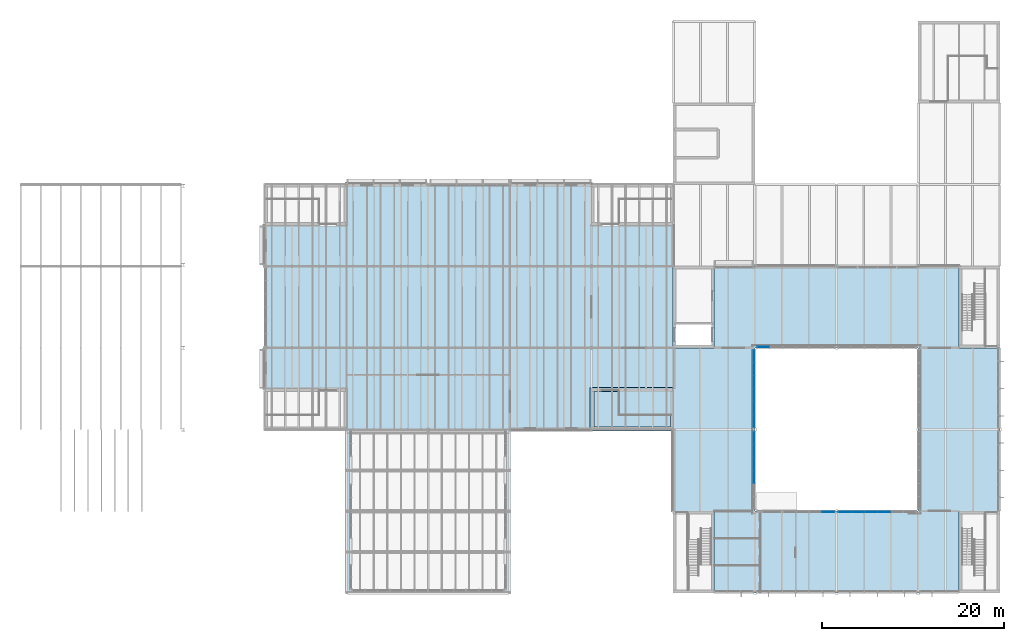
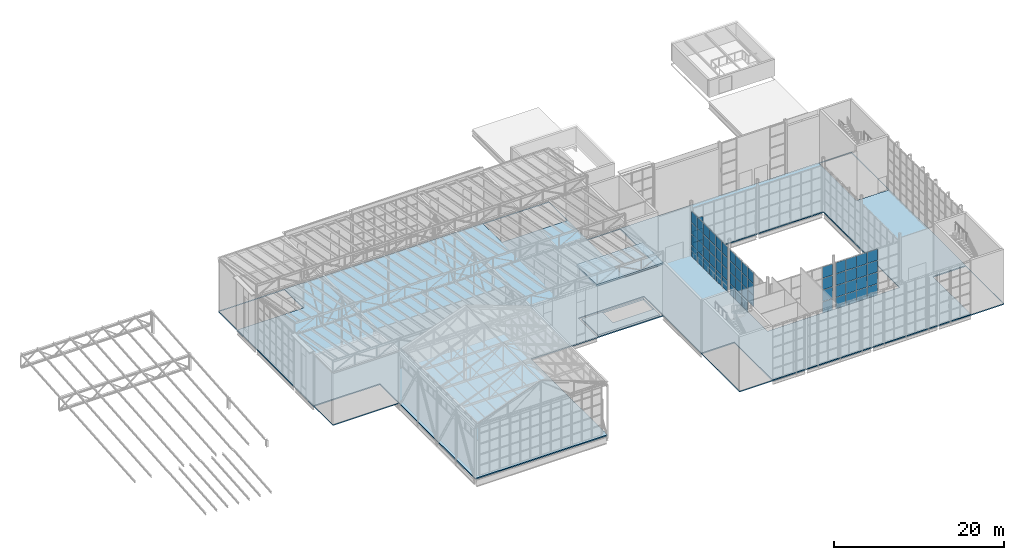
# One storey, part 70 of 90: 62 plates, 3 slabs, 5 elements without a shape of their own.
"""IFC4 building model written with IfcOpenShell, lengths in metres."""

from ifc_helpers import new_model, si_unit, direction, frame, origin, origin_2d, place, context, subcontext, project, spatial, polyline, rectangle, outline, extrude, material, layer, layer_set, type_object, element, aggregate, save


model = new_model("IFC4")

# Units and contexts
model_context = context("Model", 3, precision=1e-05, world=origin(), true_north=direction((0.0, 1.0)))
body_context = subcontext(model_context, "Body", "Model", "MODEL_VIEW")
ifc_project = project(units=[si_unit("LENGTHUNIT", "METRE"), si_unit("AREAUNIT", "SQUARE_METRE"), si_unit("VOLUMEUNIT", "CUBIC_METRE"), si_unit("PLANEANGLEUNIT", "RADIAN"), si_unit("MASSUNIT", "GRAM", prefix="KILO")], contexts=[model_context])

# Site, building, storey
site_placement = place(None, origin())
site = spatial("IfcSite", under=ifc_project, at=site_placement, CompositionType="ELEMENT")
building_placement = place(site_placement, origin())
building = spatial("IfcBuilding", under=site, at=building_placement, Name="Halyard Row Museum", CompositionType="ELEMENT")
storey_placement = place(building_placement, frame((0.0, 0.0, 13.39990234375)))
storey = spatial("IfcBuildingStorey", under=building, at=storey_placement, Name="L03", CompositionType="ELEMENT", Elevation=13.39990234375)

# Slabs
ifc_material_1 = material(Name="Concrete 40 MPa", Category="concrete")
ifc_layer_1 = layer(ifc_material_1, 0.1650390625)
ifc_layer_set_1 = layer_set([ifc_layer_1], Name="Concrete 40 MPa")
slab_type_1 = type_object("IfcSlabType", Name="Composite floor slab", PredefinedType="FLOOR", material=ifc_layer_set_1)
slab_1_placement = place(storey_placement, frame((0.0, 0.0, -0.164794921875)))
element("IfcSlab", 1, at=slab_1_placement, inside=storey, type_object=slab_type_1, Name="Floor slab L03-01", PredefinedType="FLOOR", context=body_context, shape_type="SweptSolid", body=[
    extrude(outline(polyline([(108.0, 0.0), (108.0, 36.0), (72.0, 36.0), (72.0, 45.0), (27.0, 45.0), (27.0, 18.0), (36.0, 18.0), (36.0, 0.0), (54.0, 0.0), (54.0, 18.0), (72.0, 18.0), (72.0, 0.0), (108.0, 0.0)]), holes=[polyline([(99.0, 27.0), (99.0, 9.0), (81.0, 9.0), (81.0, 27.0), (99.0, 27.0)]), polyline([(76.4951171875, 8.9951171875), (76.4951171875, 0.0048828125), (72.0048828125, 0.0048828125), (72.0048828125, 8.9951171875), (76.4951171875, 8.9951171875)]), polyline([(107.9951171875, 8.9951171875), (107.9951171875, 0.0048828125), (103.5048828125, 0.0048828125), (103.5048828125, 8.9951171875), (107.9951171875, 8.9951171875)]), polyline([(35.9951171875, 22.4951171875), (35.9951171875, 18.0048828125), (27.0048828125, 18.0048828125), (27.0048828125, 22.4951171875), (35.9951171875, 22.4951171875)]), polyline([(71.9951171875, 18.0048828125), (63.0048828125, 18.0048828125), (63.0048828125, 22.4951171875), (71.9951171875, 22.4951171875), (71.9951171875, 18.0048828125)]), polyline([(76.4951171875, 27.0048828125), (72.0048828125, 27.0048828125), (72.0048828125, 35.9951171875), (76.4951171875, 35.9951171875), (76.4951171875, 27.0048828125)]), polyline([(107.9951171875, 35.9951171875), (107.9951171875, 27.0048828125), (103.5048828125, 27.0048828125), (103.5048828125, 35.9951171875), (107.9951171875, 35.9951171875)]), polyline([(35.9951171875, 44.9951171875), (35.9951171875, 40.5048828125), (27.0048828125, 40.5048828125), (27.0048828125, 44.9951171875), (35.9951171875, 44.9951171875)]), polyline([(71.9951171875, 44.9951171875), (71.9951171875, 40.5048828125), (63.0048828125, 40.5048828125), (63.0048828125, 44.9951171875), (71.9951171875, 44.9951171875)])]), origin(), (0.0, 0.0, 1.0), 0.164794921875),
])
ifc_material_2 = material(Name="Concrete 40 MPa", Category="concrete")
ifc_layer_2 = layer(ifc_material_2, 0.25)
ifc_layer_set_2 = layer_set([ifc_layer_2], Name="Concrete 40 MPa")
slab_type_2 = type_object("IfcSlabType", Name="Core floor slab 250", PredefinedType="FLOOR", material=ifc_layer_set_2)
slab_2_placement = place(storey_placement, frame((0.0, 0.0, -0.25)))
element("IfcSlab", 2, at=slab_2_placement, inside=storey, type_object=slab_type_2, Name="Core floor K1C L03", PredefinedType="FLOOR", context=body_context, shape_type="SweptSolid", body=[
    extrude(outline(polyline([(71.699951171875, 22.199951171875), (63.300048828125, 22.199951171875), (63.300048828125, 18.300048828125), (71.699951171875, 18.300048828125), (71.699951171875, 22.199951171875)]), holes=[polyline([(71.697021484375, 19.653076171875), (66.10302734375, 19.653076171875), (66.10302734375, 22.197021484375), (71.697021484375, 22.197021484375), (71.697021484375, 19.653076171875)])]), origin(), (0.0, 0.0, 1.0), 0.25),
])
ifc_material_3 = material(Name="Concrete 40 MPa", Category="concrete")
ifc_layer_3 = layer(ifc_material_3, 0.25)
ifc_layer_set_3 = layer_set([ifc_layer_3], Name="Concrete 40 MPa")
slab_type_3 = type_object("IfcSlabType", Name="Core roof slab 250 reinforced concrete", PredefinedType="ROOF", material=ifc_layer_set_3)
slab_3_placement = place(storey_placement, frame((0.0, 0.0, 7.42822265625)))
element("IfcSlab", 3, at=slab_3_placement, inside=storey, type_object=slab_type_3, Name="Core roof K1C", PredefinedType="ROOF", context=body_context, shape_type="SweptSolid", body=[
    extrude(outline(polyline([(62.85009765625, 22.64990234375), (71.910888671875, 22.64990234375), (71.910888671875, 18.0), (71.910888671875, 17.85009765625), (62.85009765625, 17.85009765625), (62.85009765625, 22.64990234375)])), origin(), (0.0, 0.0, 1.0), 0.25),
])

# Curtain wall, plates
ifc_material_4 = material(Name="Fire-resisting laminated glazing", Category="glass")
ifc_layer_4 = layer(ifc_material_4, 0.159912109375)
ifc_layer_set_4 = layer_set([ifc_layer_4], Name="Fire-resisting laminated glazing")
curtain_wall_type = type_object("IfcCurtainWallType", Name="Curtain wall atrium screen 160 deep", PredefinedType="NOTDEFINED", material=ifc_layer_set_4)
curtain_wall_1_placement = place(storey_placement, origin())
curtain_wall_1 = element("IfcCurtainWall", 4, at=curtain_wall_1_placement, inside=storey, type_object=curtain_wall_type, Name="Curtain wall CW094", PredefinedType="NOTDEFINED")
ifc_material_5 = material(Name="Fire-resisting laminated glazing", Category="glass")
ifc_layer_5 = layer(ifc_material_5, 0.0400390625)
ifc_layer_set_5 = layer_set([ifc_layer_5], Name="Fire-resisting laminated glazing")
plate_type = type_object("IfcPlateType", Name="Curtain wall glazed panel CP5 40", PredefinedType="CURTAIN_PANEL", material=ifc_layer_set_5)
plate_1_placement = place(storey_placement, frame((89.092041015625, 8.919921875, 0.06005859375), z_axis=(0.0, 0.0, 1.0), x_axis=(1.0, 0.0, 0.0)))
plate_1 = element("IfcPlate", 5, at=plate_1_placement, type_object=plate_type, Name="CW094 panel 4.1", PredefinedType="CURTAIN_PANEL", context=body_context, shape_type="SweptSolid", body=[
    extrude(rectangle(XDim=1.340576171875, YDim=0.0400390625, at=origin_2d()), origin(), (0.0, 0.0, 1.0), 1.593017578125),
])
plate_2_placement = place(storey_placement, frame((89.092041015625, 8.919921875, 1.713134765625), z_axis=(0.0, 0.0, 1.0), x_axis=(1.0, 0.0, 0.0)))
plate_2 = element("IfcPlate", 6, at=plate_2_placement, type_object=plate_type, Name="CW094 panel 4.2", PredefinedType="CURTAIN_PANEL", context=body_context, shape_type="SweptSolid", body=[
    extrude(rectangle(XDim=1.340576171875, YDim=0.0400390625, at=origin_2d()), origin(), (0.0, 0.0, 1.0), 1.623046875),
])
plate_3_placement = place(storey_placement, frame((89.092041015625, 8.919921875, 3.39599609375), z_axis=(0.0, 0.0, 1.0), x_axis=(1.0, 0.0, 0.0)))
plate_3 = element("IfcPlate", 7, at=plate_3_placement, type_object=plate_type, Name="CW094 panel 4.3", PredefinedType="CURTAIN_PANEL", context=body_context, shape_type="SweptSolid", body=[
    extrude(rectangle(XDim=1.340576171875, YDim=0.0400390625, at=origin_2d()), origin(), (0.0, 0.0, 1.0), 1.623046875),
])
plate_4_placement = place(storey_placement, frame((89.092041015625, 8.919921875, 5.0791015625), z_axis=(0.0, 0.0, 1.0), x_axis=(1.0, 0.0, 0.0)))
plate_4 = element("IfcPlate", 8, at=plate_4_placement, type_object=plate_type, Name="CW094 panel 4.4", PredefinedType="CURTAIN_PANEL", context=body_context, shape_type="SweptSolid", body=[
    extrude(rectangle(XDim=1.340576171875, YDim=0.0400390625, at=origin_2d()), origin(), (0.0, 0.0, 1.0), 1.593017578125),
])
aggregate(curtain_wall_1, [plate_1, plate_2, plate_3, plate_4])

curtain_wall_2_placement = place(storey_placement, origin())
curtain_wall_2 = element("IfcCurtainWall", 9, at=curtain_wall_2_placement, inside=storey, type_object=curtain_wall_type, Name="Curtain wall CW095", PredefinedType="NOTDEFINED")
plate_5_placement = place(storey_placement, frame((90.9111328125, 8.919921875, 0.06005859375), z_axis=(0.0, 0.0, 1.0), x_axis=(1.0, 0.0, 0.0)))
plate_5 = element("IfcPlate", 10, at=plate_5_placement, type_object=plate_type, Name="CW095 panel 1.1", PredefinedType="CURTAIN_PANEL", context=body_context, shape_type="SweptSolid", body=[
    extrude(rectangle(XDim=1.346435546875, YDim=0.0400390625, at=origin_2d()), origin(), (0.0, 0.0, 1.0), 1.593017578125),
])
plate_6_placement = place(storey_placement, frame((90.9111328125, 8.919921875, 1.713134765625), z_axis=(0.0, 0.0, 1.0), x_axis=(1.0, 0.0, 0.0)))
plate_6 = element("IfcPlate", 11, at=plate_6_placement, type_object=plate_type, Name="CW095 panel 1.2", PredefinedType="CURTAIN_PANEL", context=body_context, shape_type="SweptSolid", body=[
    extrude(rectangle(XDim=1.346435546875, YDim=0.0400390625, at=origin_2d()), origin(), (0.0, 0.0, 1.0), 1.623046875),
])
plate_7_placement = place(storey_placement, frame((90.9111328125, 8.919921875, 3.39599609375), z_axis=(0.0, 0.0, 1.0), x_axis=(1.0, 0.0, 0.0)))
plate_7 = element("IfcPlate", 12, at=plate_7_placement, type_object=plate_type, Name="CW095 panel 1.3", PredefinedType="CURTAIN_PANEL", context=body_context, shape_type="SweptSolid", body=[
    extrude(rectangle(XDim=1.346435546875, YDim=0.0400390625, at=origin_2d()), origin(), (0.0, 0.0, 1.0), 1.623046875),
])
plate_8_placement = place(storey_placement, frame((90.9111328125, 8.919921875, 5.0791015625), z_axis=(0.0, 0.0, 1.0), x_axis=(1.0, 0.0, 0.0)))
plate_8 = element("IfcPlate", 13, at=plate_8_placement, type_object=plate_type, Name="CW095 panel 1.4", PredefinedType="CURTAIN_PANEL", context=body_context, shape_type="SweptSolid", body=[
    extrude(rectangle(XDim=1.346435546875, YDim=0.0400390625, at=origin_2d()), origin(), (0.0, 0.0, 1.0), 1.593017578125),
])
plate_9_placement = place(storey_placement, frame((92.33251953125, 8.919921875, 0.06005859375), z_axis=(0.0, 0.0, 1.0), x_axis=(1.0, 0.0, 0.0)))
plate_9 = element("IfcPlate", 14, at=plate_9_placement, type_object=plate_type, Name="CW095 panel 2.1", PredefinedType="CURTAIN_PANEL", context=body_context, shape_type="SweptSolid", body=[
    extrude(rectangle(XDim=1.37646484375, YDim=0.0400390625, at=origin_2d()), origin(), (0.0, 0.0, 1.0), 1.593017578125),
])
plate_10_placement = place(storey_placement, frame((92.33251953125, 8.919921875, 1.713134765625), z_axis=(0.0, 0.0, 1.0), x_axis=(1.0, 0.0, 0.0)))
plate_10 = element("IfcPlate", 15, at=plate_10_placement, type_object=plate_type, Name="CW095 panel 2.2", PredefinedType="CURTAIN_PANEL", context=body_context, shape_type="SweptSolid", body=[
    extrude(rectangle(XDim=1.37646484375, YDim=0.0400390625, at=origin_2d()), origin(), (0.0, 0.0, 1.0), 1.623046875),
])
plate_11_placement = place(storey_placement, frame((92.33251953125, 8.919921875, 3.39599609375), z_axis=(0.0, 0.0, 1.0), x_axis=(1.0, 0.0, 0.0)))
plate_11 = element("IfcPlate", 16, at=plate_11_placement, type_object=plate_type, Name="CW095 panel 2.3", PredefinedType="CURTAIN_PANEL", context=body_context, shape_type="SweptSolid", body=[
    extrude(rectangle(XDim=1.37646484375, YDim=0.0400390625, at=origin_2d()), origin(), (0.0, 0.0, 1.0), 1.623046875),
])
plate_12_placement = place(storey_placement, frame((92.33251953125, 8.919921875, 5.0791015625), z_axis=(0.0, 0.0, 1.0), x_axis=(1.0, 0.0, 0.0)))
plate_12 = element("IfcPlate", 17, at=plate_12_placement, type_object=plate_type, Name="CW095 panel 2.4", PredefinedType="CURTAIN_PANEL", context=body_context, shape_type="SweptSolid", body=[
    extrude(rectangle(XDim=1.37646484375, YDim=0.0400390625, at=origin_2d()), origin(), (0.0, 0.0, 1.0), 1.593017578125),
])
plate_13_placement = place(storey_placement, frame((93.76904296875, 8.919921875, 0.06005859375), z_axis=(0.0, 0.0, 1.0), x_axis=(1.0, 0.0, 0.0)))
plate_13 = element("IfcPlate", 18, at=plate_13_placement, type_object=plate_type, Name="CW095 panel 3.1", PredefinedType="CURTAIN_PANEL", context=body_context, shape_type="SweptSolid", body=[
    extrude(rectangle(XDim=1.37646484375, YDim=0.0400390625, at=origin_2d()), origin(), (0.0, 0.0, 1.0), 1.593017578125),
])
plate_14_placement = place(storey_placement, frame((93.76904296875, 8.919921875, 1.713134765625), z_axis=(0.0, 0.0, 1.0), x_axis=(1.0, 0.0, 0.0)))
plate_14 = element("IfcPlate", 19, at=plate_14_placement, type_object=plate_type, Name="CW095 panel 3.2", PredefinedType="CURTAIN_PANEL", context=body_context, shape_type="SweptSolid", body=[
    extrude(rectangle(XDim=1.37646484375, YDim=0.0400390625, at=origin_2d()), origin(), (0.0, 0.0, 1.0), 1.623046875),
])
plate_15_placement = place(storey_placement, frame((93.76904296875, 8.919921875, 3.39599609375), z_axis=(0.0, 0.0, 1.0), x_axis=(1.0, 0.0, 0.0)))
plate_15 = element("IfcPlate", 20, at=plate_15_placement, type_object=plate_type, Name="CW095 panel 3.3", PredefinedType="CURTAIN_PANEL", context=body_context, shape_type="SweptSolid", body=[
    extrude(rectangle(XDim=1.37646484375, YDim=0.0400390625, at=origin_2d()), origin(), (0.0, 0.0, 1.0), 1.623046875),
])
plate_16_placement = place(storey_placement, frame((93.76904296875, 8.919921875, 5.0791015625), z_axis=(0.0, 0.0, 1.0), x_axis=(1.0, 0.0, 0.0)))
plate_16 = element("IfcPlate", 21, at=plate_16_placement, type_object=plate_type, Name="CW095 panel 3.4", PredefinedType="CURTAIN_PANEL", context=body_context, shape_type="SweptSolid", body=[
    extrude(rectangle(XDim=1.37646484375, YDim=0.0400390625, at=origin_2d()), origin(), (0.0, 0.0, 1.0), 1.593017578125),
])
plate_17_placement = place(storey_placement, frame((95.20556640625, 8.919921875, 0.06005859375), z_axis=(0.0, 0.0, 1.0), x_axis=(1.0, 0.0, 0.0)))
plate_17 = element("IfcPlate", 22, at=plate_17_placement, type_object=plate_type, Name="CW095 panel 4.1", PredefinedType="CURTAIN_PANEL", context=body_context, shape_type="SweptSolid", body=[
    extrude(rectangle(XDim=1.37646484375, YDim=0.0400390625, at=origin_2d()), origin(), (0.0, 0.0, 1.0), 1.593017578125),
])
plate_18_placement = place(storey_placement, frame((95.20556640625, 8.919921875, 1.713134765625), z_axis=(0.0, 0.0, 1.0), x_axis=(1.0, 0.0, 0.0)))
plate_18 = element("IfcPlate", 23, at=plate_18_placement, type_object=plate_type, Name="CW095 panel 4.2", PredefinedType="CURTAIN_PANEL", context=body_context, shape_type="SweptSolid", body=[
    extrude(rectangle(XDim=1.37646484375, YDim=0.0400390625, at=origin_2d()), origin(), (0.0, 0.0, 1.0), 1.623046875),
])
plate_19_placement = place(storey_placement, frame((95.20556640625, 8.919921875, 3.39599609375), z_axis=(0.0, 0.0, 1.0), x_axis=(1.0, 0.0, 0.0)))
plate_19 = element("IfcPlate", 24, at=plate_19_placement, type_object=plate_type, Name="CW095 panel 4.3", PredefinedType="CURTAIN_PANEL", context=body_context, shape_type="SweptSolid", body=[
    extrude(rectangle(XDim=1.37646484375, YDim=0.0400390625, at=origin_2d()), origin(), (0.0, 0.0, 1.0), 1.623046875),
])
plate_20_placement = place(storey_placement, frame((95.20556640625, 8.919921875, 5.0791015625), z_axis=(0.0, 0.0, 1.0), x_axis=(1.0, 0.0, 0.0)))
plate_20 = element("IfcPlate", 25, at=plate_20_placement, type_object=plate_type, Name="CW095 panel 4.4", PredefinedType="CURTAIN_PANEL", context=body_context, shape_type="SweptSolid", body=[
    extrude(rectangle(XDim=1.37646484375, YDim=0.0400390625, at=origin_2d()), origin(), (0.0, 0.0, 1.0), 1.593017578125),
])
aggregate(curtain_wall_2, [plate_5, plate_6, plate_7, plate_8, plate_9, plate_10, plate_11, plate_12, plate_13, plate_14, plate_15, plate_16, plate_17, plate_18, plate_19, plate_20])

curtain_wall_3_placement = place(storey_placement, origin())
curtain_wall_3 = element("IfcCurtainWall", 26, at=curtain_wall_3_placement, inside=storey, type_object=curtain_wall_type, Name="Curtain wall CW099", PredefinedType="NOTDEFINED")
plate_21_placement = place(storey_placement, frame((81.9365234375, 27.080078125, 0.06005859375), z_axis=(0.0, 0.0, 1.0), x_axis=(-1.0, 0.0, 0.0)))
plate_21 = element("IfcPlate", 27, at=plate_21_placement, type_object=plate_type, Name="CW099 panel 6.1", PredefinedType="CURTAIN_PANEL", context=body_context, shape_type="SweptSolid", body=[
    extrude(rectangle(XDim=1.346435546875, YDim=0.0400390625, at=origin_2d()), origin(), (0.0, 0.0, 1.0), 1.593017578125),
])
plate_22_placement = place(storey_placement, frame((81.9365234375, 27.080078125, 1.713134765625), z_axis=(0.0, 0.0, 1.0), x_axis=(-1.0, 0.0, 0.0)))
plate_22 = element("IfcPlate", 28, at=plate_22_placement, type_object=plate_type, Name="CW099 panel 6.2", PredefinedType="CURTAIN_PANEL", context=body_context, shape_type="SweptSolid", body=[
    extrude(rectangle(XDim=1.346435546875, YDim=0.0400390625, at=origin_2d()), origin(), (0.0, 0.0, 1.0), 1.623046875),
])
plate_23_placement = place(storey_placement, frame((81.9365234375, 27.080078125, 3.39599609375), z_axis=(0.0, 0.0, 1.0), x_axis=(-1.0, 0.0, 0.0)))
plate_23 = element("IfcPlate", 29, at=plate_23_placement, type_object=plate_type, Name="CW099 panel 6.3", PredefinedType="CURTAIN_PANEL", context=body_context, shape_type="SweptSolid", body=[
    extrude(rectangle(XDim=1.346435546875, YDim=0.0400390625, at=origin_2d()), origin(), (0.0, 0.0, 1.0), 1.623046875),
])
aggregate(curtain_wall_3, [plate_21, plate_22, plate_23])

curtain_wall_4_placement = place(storey_placement, origin())
curtain_wall_4 = element("IfcCurtainWall", 30, at=curtain_wall_4_placement, inside=storey, type_object=curtain_wall_type, Name="Curtain wall CW100", PredefinedType="NOTDEFINED")
plate_24_placement = place(storey_placement, frame((80.919921875, 26.065673828125, 0.06005859375), z_axis=(0.0, 0.0, 1.0), x_axis=(0.0, -1.0, 0.0)))
plate_24 = element("IfcPlate", 31, at=plate_24_placement, type_object=plate_type, Name="CW100 panel 1.1", PredefinedType="CURTAIN_PANEL", context=body_context, shape_type="SweptSolid", body=[
    extrude(rectangle(XDim=1.34228515625, YDim=0.0400390625, at=origin_2d()), origin(), (0.0, 0.0, 1.0), 1.55615234375),
])
plate_25_placement = place(storey_placement, frame((80.919921875, 26.065673828125, 1.67626953125), z_axis=(0.0, 0.0, 1.0), x_axis=(0.0, -1.0, 0.0)))
plate_25 = element("IfcPlate", 32, at=plate_25_placement, type_object=plate_type, Name="CW100 panel 1.2", PredefinedType="CURTAIN_PANEL", context=body_context, shape_type="SweptSolid", body=[
    extrude(rectangle(XDim=1.34228515625, YDim=0.0400390625, at=origin_2d()), origin(), (0.0, 0.0, 1.0), 1.586181640625),
])
plate_26_placement = place(storey_placement, frame((80.919921875, 26.065673828125, 3.32275390625), z_axis=(0.0, 0.0, 1.0), x_axis=(0.0, -1.0, 0.0)))
plate_26 = element("IfcPlate", 33, at=plate_26_placement, type_object=plate_type, Name="CW100 panel 1.3", PredefinedType="CURTAIN_PANEL", context=body_context, shape_type="SweptSolid", body=[
    extrude(rectangle(XDim=1.34228515625, YDim=0.0400390625, at=origin_2d()), origin(), (0.0, 0.0, 1.0), 1.586181640625),
])
plate_27_placement = place(storey_placement, frame((80.919921875, 26.065673828125, 4.968994140625), z_axis=(0.0, 0.0, 1.0), x_axis=(0.0, -1.0, 0.0)))
plate_27 = element("IfcPlate", 34, at=plate_27_placement, type_object=plate_type, Name="CW100 panel 1.4", PredefinedType="CURTAIN_PANEL", context=body_context, shape_type="SweptSolid", body=[
    extrude(rectangle(XDim=1.34228515625, YDim=0.0400390625, at=origin_2d()), origin(), (0.0, 0.0, 1.0), 1.55615234375),
])
plate_28_placement = place(storey_placement, frame((80.919921875, 24.6484375, 0.06005859375), z_axis=(0.0, 0.0, 1.0), x_axis=(0.0, -1.0, 0.0)))
plate_28 = element("IfcPlate", 35, at=plate_28_placement, type_object=plate_type, Name="CW100 panel 2.1", PredefinedType="CURTAIN_PANEL", context=body_context, shape_type="SweptSolid", body=[
    extrude(rectangle(XDim=1.372314453125, YDim=0.0400390625, at=origin_2d()), origin(), (0.0, 0.0, 1.0), 1.55615234375),
])
plate_29_placement = place(storey_placement, frame((80.919921875, 24.6484375, 1.67626953125), z_axis=(0.0, 0.0, 1.0), x_axis=(0.0, -1.0, 0.0)))
plate_29 = element("IfcPlate", 36, at=plate_29_placement, type_object=plate_type, Name="CW100 panel 2.2", PredefinedType="CURTAIN_PANEL", context=body_context, shape_type="SweptSolid", body=[
    extrude(rectangle(XDim=1.372314453125, YDim=0.0400390625, at=origin_2d()), origin(), (0.0, 0.0, 1.0), 1.586181640625),
])
plate_30_placement = place(storey_placement, frame((80.919921875, 24.6484375, 3.32275390625), z_axis=(0.0, 0.0, 1.0), x_axis=(0.0, -1.0, 0.0)))
plate_30 = element("IfcPlate", 37, at=plate_30_placement, type_object=plate_type, Name="CW100 panel 2.3", PredefinedType="CURTAIN_PANEL", context=body_context, shape_type="SweptSolid", body=[
    extrude(rectangle(XDim=1.372314453125, YDim=0.0400390625, at=origin_2d()), origin(), (0.0, 0.0, 1.0), 1.586181640625),
])
plate_31_placement = place(storey_placement, frame((80.919921875, 24.6484375, 4.968994140625), z_axis=(0.0, 0.0, 1.0), x_axis=(0.0, -1.0, 0.0)))
plate_31 = element("IfcPlate", 38, at=plate_31_placement, type_object=plate_type, Name="CW100 panel 2.4", PredefinedType="CURTAIN_PANEL", context=body_context, shape_type="SweptSolid", body=[
    extrude(rectangle(XDim=1.372314453125, YDim=0.0400390625, at=origin_2d()), origin(), (0.0, 0.0, 1.0), 1.55615234375),
])
plate_32_placement = place(storey_placement, frame((80.919921875, 23.216064453125, 0.06005859375), z_axis=(0.0, 0.0, 1.0), x_axis=(0.0, -1.0, 0.0)))
plate_32 = element("IfcPlate", 39, at=plate_32_placement, type_object=plate_type, Name="CW100 panel 3.1", PredefinedType="CURTAIN_PANEL", context=body_context, shape_type="SweptSolid", body=[
    extrude(rectangle(XDim=1.372314453125, YDim=0.0400390625, at=origin_2d()), origin(), (0.0, 0.0, 1.0), 1.55615234375),
])
plate_33_placement = place(storey_placement, frame((80.919921875, 23.216064453125, 1.67626953125), z_axis=(0.0, 0.0, 1.0), x_axis=(0.0, -1.0, 0.0)))
plate_33 = element("IfcPlate", 40, at=plate_33_placement, type_object=plate_type, Name="CW100 panel 3.2", PredefinedType="CURTAIN_PANEL", context=body_context, shape_type="SweptSolid", body=[
    extrude(rectangle(XDim=1.372314453125, YDim=0.0400390625, at=origin_2d()), origin(), (0.0, 0.0, 1.0), 1.586181640625),
])
plate_34_placement = place(storey_placement, frame((80.919921875, 23.216064453125, 3.32275390625), z_axis=(0.0, 0.0, 1.0), x_axis=(0.0, -1.0, 0.0)))
plate_34 = element("IfcPlate", 41, at=plate_34_placement, type_object=plate_type, Name="CW100 panel 3.3", PredefinedType="CURTAIN_PANEL", context=body_context, shape_type="SweptSolid", body=[
    extrude(rectangle(XDim=1.372314453125, YDim=0.0400390625, at=origin_2d()), origin(), (0.0, 0.0, 1.0), 1.586181640625),
])
plate_35_placement = place(storey_placement, frame((80.919921875, 23.216064453125, 4.968994140625), z_axis=(0.0, 0.0, 1.0), x_axis=(0.0, -1.0, 0.0)))
plate_35 = element("IfcPlate", 42, at=plate_35_placement, type_object=plate_type, Name="CW100 panel 3.4", PredefinedType="CURTAIN_PANEL", context=body_context, shape_type="SweptSolid", body=[
    extrude(rectangle(XDim=1.372314453125, YDim=0.0400390625, at=origin_2d()), origin(), (0.0, 0.0, 1.0), 1.55615234375),
])
plate_36_placement = place(storey_placement, frame((80.919921875, 21.783935546875, 0.06005859375), z_axis=(0.0, 0.0, 1.0), x_axis=(0.0, -1.0, 0.0)))
plate_36 = element("IfcPlate", 43, at=plate_36_placement, type_object=plate_type, Name="CW100 panel 4.1", PredefinedType="CURTAIN_PANEL", context=body_context, shape_type="SweptSolid", body=[
    extrude(rectangle(XDim=1.372314453125, YDim=0.0400390625, at=origin_2d()), origin(), (0.0, 0.0, 1.0), 1.55615234375),
])
plate_37_placement = place(storey_placement, frame((80.919921875, 21.783935546875, 1.67626953125), z_axis=(0.0, 0.0, 1.0), x_axis=(0.0, -1.0, 0.0)))
plate_37 = element("IfcPlate", 44, at=plate_37_placement, type_object=plate_type, Name="CW100 panel 4.2", PredefinedType="CURTAIN_PANEL", context=body_context, shape_type="SweptSolid", body=[
    extrude(rectangle(XDim=1.372314453125, YDim=0.0400390625, at=origin_2d()), origin(), (0.0, 0.0, 1.0), 1.586181640625),
])
plate_38_placement = place(storey_placement, frame((80.919921875, 21.783935546875, 3.32275390625), z_axis=(0.0, 0.0, 1.0), x_axis=(0.0, -1.0, 0.0)))
plate_38 = element("IfcPlate", 45, at=plate_38_placement, type_object=plate_type, Name="CW100 panel 4.3", PredefinedType="CURTAIN_PANEL", context=body_context, shape_type="SweptSolid", body=[
    extrude(rectangle(XDim=1.372314453125, YDim=0.0400390625, at=origin_2d()), origin(), (0.0, 0.0, 1.0), 1.586181640625),
])
plate_39_placement = place(storey_placement, frame((80.919921875, 21.783935546875, 4.968994140625), z_axis=(0.0, 0.0, 1.0), x_axis=(0.0, -1.0, 0.0)))
plate_39 = element("IfcPlate", 46, at=plate_39_placement, type_object=plate_type, Name="CW100 panel 4.4", PredefinedType="CURTAIN_PANEL", context=body_context, shape_type="SweptSolid", body=[
    extrude(rectangle(XDim=1.372314453125, YDim=0.0400390625, at=origin_2d()), origin(), (0.0, 0.0, 1.0), 1.55615234375),
])
plate_40_placement = place(storey_placement, frame((80.919921875, 20.3515625, 0.06005859375), z_axis=(0.0, 0.0, 1.0), x_axis=(0.0, -1.0, 0.0)))
plate_40 = element("IfcPlate", 47, at=plate_40_placement, type_object=plate_type, Name="CW100 panel 5.1", PredefinedType="CURTAIN_PANEL", context=body_context, shape_type="SweptSolid", body=[
    extrude(rectangle(XDim=1.372314453125, YDim=0.0400390625, at=origin_2d()), origin(), (0.0, 0.0, 1.0), 1.55615234375),
])
plate_41_placement = place(storey_placement, frame((80.919921875, 20.3515625, 1.67626953125), z_axis=(0.0, 0.0, 1.0), x_axis=(0.0, -1.0, 0.0)))
plate_41 = element("IfcPlate", 48, at=plate_41_placement, type_object=plate_type, Name="CW100 panel 5.2", PredefinedType="CURTAIN_PANEL", context=body_context, shape_type="SweptSolid", body=[
    extrude(rectangle(XDim=1.372314453125, YDim=0.0400390625, at=origin_2d()), origin(), (0.0, 0.0, 1.0), 1.586181640625),
])
plate_42_placement = place(storey_placement, frame((80.919921875, 20.3515625, 3.32275390625), z_axis=(0.0, 0.0, 1.0), x_axis=(0.0, -1.0, 0.0)))
plate_42 = element("IfcPlate", 49, at=plate_42_placement, type_object=plate_type, Name="CW100 panel 5.3", PredefinedType="CURTAIN_PANEL", context=body_context, shape_type="SweptSolid", body=[
    extrude(rectangle(XDim=1.372314453125, YDim=0.0400390625, at=origin_2d()), origin(), (0.0, 0.0, 1.0), 1.586181640625),
])
plate_43_placement = place(storey_placement, frame((80.919921875, 20.3515625, 4.968994140625), z_axis=(0.0, 0.0, 1.0), x_axis=(0.0, -1.0, 0.0)))
plate_43 = element("IfcPlate", 50, at=plate_43_placement, type_object=plate_type, Name="CW100 panel 5.4", PredefinedType="CURTAIN_PANEL", context=body_context, shape_type="SweptSolid", body=[
    extrude(rectangle(XDim=1.372314453125, YDim=0.0400390625, at=origin_2d()), origin(), (0.0, 0.0, 1.0), 1.55615234375),
])
plate_44_placement = place(storey_placement, frame((80.919921875, 18.934326171875, 0.06005859375), z_axis=(0.0, 0.0, 1.0), x_axis=(0.0, -1.0, 0.0)))
plate_44 = element("IfcPlate", 51, at=plate_44_placement, type_object=plate_type, Name="CW100 panel 6.1", PredefinedType="CURTAIN_PANEL", context=body_context, shape_type="SweptSolid", body=[
    extrude(rectangle(XDim=1.34228515625, YDim=0.0400390625, at=origin_2d()), origin(), (0.0, 0.0, 1.0), 1.55615234375),
])
plate_45_placement = place(storey_placement, frame((80.919921875, 18.934326171875, 1.67626953125), z_axis=(0.0, 0.0, 1.0), x_axis=(0.0, -1.0, 0.0)))
plate_45 = element("IfcPlate", 52, at=plate_45_placement, type_object=plate_type, Name="CW100 panel 6.2", PredefinedType="CURTAIN_PANEL", context=body_context, shape_type="SweptSolid", body=[
    extrude(rectangle(XDim=1.34228515625, YDim=0.0400390625, at=origin_2d()), origin(), (0.0, 0.0, 1.0), 1.586181640625),
])
plate_46_placement = place(storey_placement, frame((80.919921875, 18.934326171875, 3.32275390625), z_axis=(0.0, 0.0, 1.0), x_axis=(0.0, -1.0, 0.0)))
plate_46 = element("IfcPlate", 53, at=plate_46_placement, type_object=plate_type, Name="CW100 panel 6.3", PredefinedType="CURTAIN_PANEL", context=body_context, shape_type="SweptSolid", body=[
    extrude(rectangle(XDim=1.34228515625, YDim=0.0400390625, at=origin_2d()), origin(), (0.0, 0.0, 1.0), 1.586181640625),
])
plate_47_placement = place(storey_placement, frame((80.919921875, 18.934326171875, 4.968994140625), z_axis=(0.0, 0.0, 1.0), x_axis=(0.0, -1.0, 0.0)))
plate_47 = element("IfcPlate", 54, at=plate_47_placement, type_object=plate_type, Name="CW100 panel 6.4", PredefinedType="CURTAIN_PANEL", context=body_context, shape_type="SweptSolid", body=[
    extrude(rectangle(XDim=1.34228515625, YDim=0.0400390625, at=origin_2d()), origin(), (0.0, 0.0, 1.0), 1.55615234375),
])
aggregate(curtain_wall_4, [plate_24, plate_25, plate_26, plate_27, plate_28, plate_29, plate_30, plate_31, plate_32, plate_33, plate_34, plate_35, plate_36, plate_37, plate_38, plate_39, plate_40, plate_41, plate_42, plate_43, plate_44, plate_45, plate_46, plate_47])

curtain_wall_5_placement = place(storey_placement, origin())
curtain_wall_5 = element("IfcCurtainWall", 55, at=curtain_wall_5_placement, inside=storey, type_object=curtain_wall_type, Name="Curtain wall CW101", PredefinedType="NOTDEFINED")
plate_48_placement = place(storey_placement, frame((80.919921875, 17.065673828125, 0.06005859375), z_axis=(0.0, 0.0, 1.0), x_axis=(0.0, -1.0, 0.0)))
plate_48 = element("IfcPlate", 56, at=plate_48_placement, type_object=plate_type, Name="CW101 panel 1.1", PredefinedType="CURTAIN_PANEL", context=body_context, shape_type="SweptSolid", body=[
    extrude(rectangle(XDim=1.34228515625, YDim=0.0400390625, at=origin_2d()), origin(), (0.0, 0.0, 1.0), 1.55615234375),
])
plate_49_placement = place(storey_placement, frame((80.919921875, 17.065673828125, 1.67626953125), z_axis=(0.0, 0.0, 1.0), x_axis=(0.0, -1.0, 0.0)))
plate_49 = element("IfcPlate", 57, at=plate_49_placement, type_object=plate_type, Name="CW101 panel 1.2", PredefinedType="CURTAIN_PANEL", context=body_context, shape_type="SweptSolid", body=[
    extrude(rectangle(XDim=1.34228515625, YDim=0.0400390625, at=origin_2d()), origin(), (0.0, 0.0, 1.0), 1.586181640625),
])
plate_50_placement = place(storey_placement, frame((80.919921875, 17.065673828125, 3.32275390625), z_axis=(0.0, 0.0, 1.0), x_axis=(0.0, -1.0, 0.0)))
plate_50 = element("IfcPlate", 58, at=plate_50_placement, type_object=plate_type, Name="CW101 panel 1.3", PredefinedType="CURTAIN_PANEL", context=body_context, shape_type="SweptSolid", body=[
    extrude(rectangle(XDim=1.34228515625, YDim=0.0400390625, at=origin_2d()), origin(), (0.0, 0.0, 1.0), 1.586181640625),
])
plate_51_placement = place(storey_placement, frame((80.919921875, 17.065673828125, 4.968994140625), z_axis=(0.0, 0.0, 1.0), x_axis=(0.0, -1.0, 0.0)))
plate_51 = element("IfcPlate", 59, at=plate_51_placement, type_object=plate_type, Name="CW101 panel 1.4", PredefinedType="CURTAIN_PANEL", context=body_context, shape_type="SweptSolid", body=[
    extrude(rectangle(XDim=1.34228515625, YDim=0.0400390625, at=origin_2d()), origin(), (0.0, 0.0, 1.0), 1.55615234375),
])
plate_52_placement = place(storey_placement, frame((80.919921875, 15.6484375, 0.06005859375), z_axis=(0.0, 0.0, 1.0), x_axis=(0.0, -1.0, 0.0)))
plate_52 = element("IfcPlate", 60, at=plate_52_placement, type_object=plate_type, Name="CW101 panel 2.1", PredefinedType="CURTAIN_PANEL", context=body_context, shape_type="SweptSolid", body=[
    extrude(rectangle(XDim=1.372314453125, YDim=0.0400390625, at=origin_2d()), origin(), (0.0, 0.0, 1.0), 1.55615234375),
])
plate_53_placement = place(storey_placement, frame((80.919921875, 15.6484375, 1.67626953125), z_axis=(0.0, 0.0, 1.0), x_axis=(0.0, -1.0, 0.0)))
plate_53 = element("IfcPlate", 61, at=plate_53_placement, type_object=plate_type, Name="CW101 panel 2.2", PredefinedType="CURTAIN_PANEL", context=body_context, shape_type="SweptSolid", body=[
    extrude(rectangle(XDim=1.372314453125, YDim=0.0400390625, at=origin_2d()), origin(), (0.0, 0.0, 1.0), 1.586181640625),
])
plate_54_placement = place(storey_placement, frame((80.919921875, 15.6484375, 3.32275390625), z_axis=(0.0, 0.0, 1.0), x_axis=(0.0, -1.0, 0.0)))
plate_54 = element("IfcPlate", 62, at=plate_54_placement, type_object=plate_type, Name="CW101 panel 2.3", PredefinedType="CURTAIN_PANEL", context=body_context, shape_type="SweptSolid", body=[
    extrude(rectangle(XDim=1.372314453125, YDim=0.0400390625, at=origin_2d()), origin(), (0.0, 0.0, 1.0), 1.586181640625),
])
plate_55_placement = place(storey_placement, frame((80.919921875, 15.6484375, 4.968994140625), z_axis=(0.0, 0.0, 1.0), x_axis=(0.0, -1.0, 0.0)))
plate_55 = element("IfcPlate", 63, at=plate_55_placement, type_object=plate_type, Name="CW101 panel 2.4", PredefinedType="CURTAIN_PANEL", context=body_context, shape_type="SweptSolid", body=[
    extrude(rectangle(XDim=1.372314453125, YDim=0.0400390625, at=origin_2d()), origin(), (0.0, 0.0, 1.0), 1.55615234375),
])
plate_56_placement = place(storey_placement, frame((80.919921875, 14.216064453125, 0.06005859375), z_axis=(0.0, 0.0, 1.0), x_axis=(0.0, -1.0, 0.0)))
plate_56 = element("IfcPlate", 64, at=plate_56_placement, type_object=plate_type, Name="CW101 panel 3.1", PredefinedType="CURTAIN_PANEL", context=body_context, shape_type="SweptSolid", body=[
    extrude(rectangle(XDim=1.372314453125, YDim=0.0400390625, at=origin_2d()), origin(), (0.0, 0.0, 1.0), 1.55615234375),
])
plate_57_placement = place(storey_placement, frame((80.919921875, 14.216064453125, 1.67626953125), z_axis=(0.0, 0.0, 1.0), x_axis=(0.0, -1.0, 0.0)))
plate_57 = element("IfcPlate", 65, at=plate_57_placement, type_object=plate_type, Name="CW101 panel 3.2", PredefinedType="CURTAIN_PANEL", context=body_context, shape_type="SweptSolid", body=[
    extrude(rectangle(XDim=1.372314453125, YDim=0.0400390625, at=origin_2d()), origin(), (0.0, 0.0, 1.0), 1.586181640625),
])
plate_58_placement = place(storey_placement, frame((80.919921875, 14.216064453125, 3.32275390625), z_axis=(0.0, 0.0, 1.0), x_axis=(0.0, -1.0, 0.0)))
plate_58 = element("IfcPlate", 66, at=plate_58_placement, type_object=plate_type, Name="CW101 panel 3.3", PredefinedType="CURTAIN_PANEL", context=body_context, shape_type="SweptSolid", body=[
    extrude(rectangle(XDim=1.372314453125, YDim=0.0400390625, at=origin_2d()), origin(), (0.0, 0.0, 1.0), 1.586181640625),
])
plate_59_placement = place(storey_placement, frame((80.919921875, 14.216064453125, 4.968994140625), z_axis=(0.0, 0.0, 1.0), x_axis=(0.0, -1.0, 0.0)))
plate_59 = element("IfcPlate", 67, at=plate_59_placement, type_object=plate_type, Name="CW101 panel 3.4", PredefinedType="CURTAIN_PANEL", context=body_context, shape_type="SweptSolid", body=[
    extrude(rectangle(XDim=1.372314453125, YDim=0.0400390625, at=origin_2d()), origin(), (0.0, 0.0, 1.0), 1.55615234375),
])
plate_60_placement = place(storey_placement, frame((80.919921875, 12.783935546875, 1.67626953125), z_axis=(0.0, 0.0, 1.0), x_axis=(0.0, -1.0, 0.0)))
plate_60 = element("IfcPlate", 68, at=plate_60_placement, type_object=plate_type, Name="CW101 panel 4.2", PredefinedType="CURTAIN_PANEL", context=body_context, shape_type="SweptSolid", body=[
    extrude(rectangle(XDim=1.372314453125, YDim=0.0400390625, at=origin_2d()), origin(), (0.0, 0.0, 1.0), 1.586181640625),
])
plate_61_placement = place(storey_placement, frame((80.919921875, 12.783935546875, 3.32275390625), z_axis=(0.0, 0.0, 1.0), x_axis=(0.0, -1.0, 0.0)))
plate_61 = element("IfcPlate", 69, at=plate_61_placement, type_object=plate_type, Name="CW101 panel 4.3", PredefinedType="CURTAIN_PANEL", context=body_context, shape_type="SweptSolid", body=[
    extrude(rectangle(XDim=1.372314453125, YDim=0.0400390625, at=origin_2d()), origin(), (0.0, 0.0, 1.0), 1.586181640625),
])
plate_62_placement = place(storey_placement, frame((80.919921875, 12.783935546875, 4.968994140625), z_axis=(0.0, 0.0, 1.0), x_axis=(0.0, -1.0, 0.0)))
plate_62 = element("IfcPlate", 70, at=plate_62_placement, type_object=plate_type, Name="CW101 panel 4.4", PredefinedType="CURTAIN_PANEL", context=body_context, shape_type="SweptSolid", body=[
    extrude(rectangle(XDim=1.372314453125, YDim=0.0400390625, at=origin_2d()), origin(), (0.0, 0.0, 1.0), 1.55615234375),
])
aggregate(curtain_wall_5, [plate_48, plate_49, plate_50, plate_51, plate_52, plate_53, plate_54, plate_55, plate_56, plate_57, plate_58, plate_59, plate_60, plate_61, plate_62])

save(model, "model.ifc")
